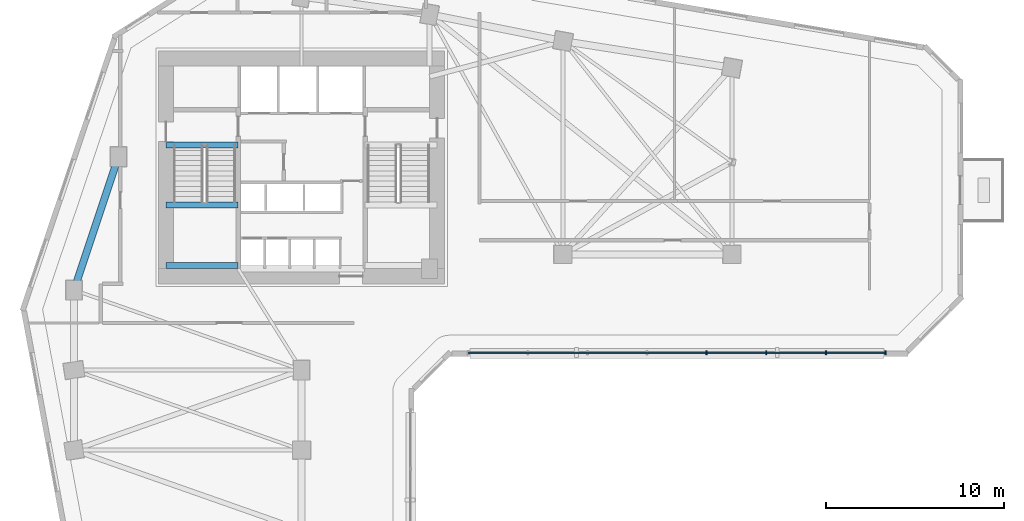
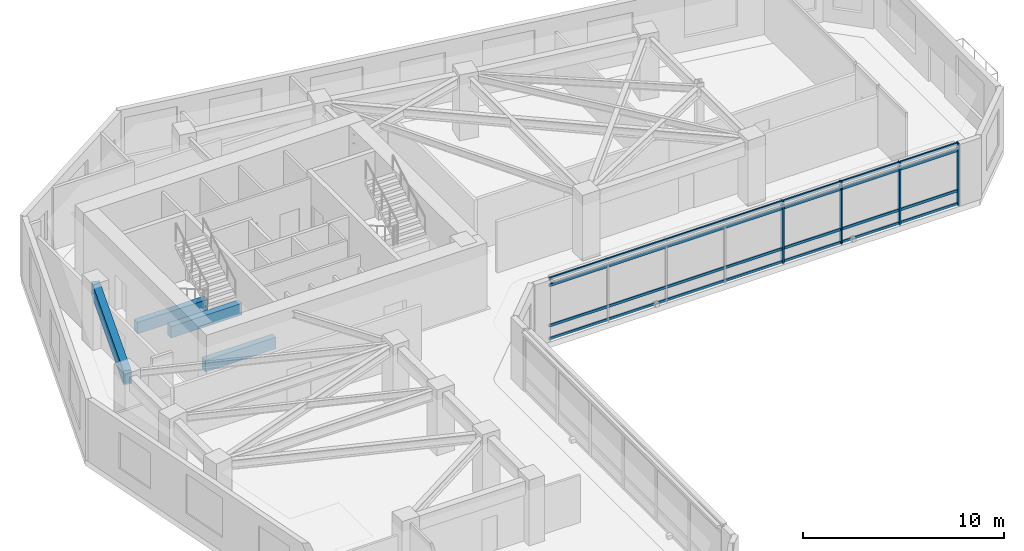
# One storey, part 3 of 11: 8 members, 4 beams, 1 element without a shape of its own.
"""IFC4 building model written with IfcOpenShell, lengths in metres."""

from ifc_helpers import new_model, si_unit, direction, frame, origin, origin_2d, place, context, subcontext, project, spatial, rectangle, extrude, source, transform, mapped, material, material_profile, profile_set, type_object, element, aggregate, save


model = new_model("IFC4")

# Units and contexts
model_context = context("Model", 3, precision=1e-05, world=origin(), true_north=direction((0.0, 1.0)))
body_context = subcontext(model_context, "Body", "Model", "MODEL_VIEW")
ifc_project = project(units=[si_unit("LENGTHUNIT", "METRE"), si_unit("AREAUNIT", "SQUARE_METRE"), si_unit("VOLUMEUNIT", "CUBIC_METRE"), si_unit("PLANEANGLEUNIT", "RADIAN"), si_unit("MASSUNIT", "GRAM", prefix="KILO")], contexts=[model_context])

# Site, building, storey
site_placement = place(None, origin())
site = spatial("IfcSite", under=ifc_project, at=site_placement, CompositionType="ELEMENT")
building_placement = place(site_placement, origin())
building = spatial("IfcBuilding", under=site, at=building_placement, Name="Calvemar Wedge Station Tower", CompositionType="ELEMENT")
storey_placement = place(building_placement, frame((0.0, 0.0, 27.0)))
storey = spatial("IfcBuildingStorey", under=building, at=storey_placement, Name="L06", CompositionType="ELEMENT", Elevation=27.0)

# Beams
ifc_material_1 = material(Name="Concrete C70", Category="concrete")
ifc_material_profile_1 = material_profile(ifc_material_1, rectangle(XDim=0.35009765625, YDim=0.699951171875, at=origin_2d()), Name="RC350x700")
ifc_profile_set_1 = profile_set([ifc_material_profile_1], Name="Concrete C70")
beam_type_1 = type_object("IfcBeamType", Name="BM-LN1-700", PredefinedType="LINTEL", material=ifc_profile_set_1)
shared_shape_1 = source(origin(), body_context, "Body", "SweptSolid", [
    extrude(rectangle(XDim=0.35009765625, YDim=0.699951171875, at=origin_2d()), origin(), (0.0, 0.0, 1.0), 4.054931640625),
])
for number, where, z_axis, x_axis, name in (
    (1, (16.175048828125, 41.14990234375, -0.35009765625), (1.0, 0.0, 0.0), (0.0, 1.0, 0.0), "Storey L06 Stair ST-C1 Landing Trimmer Beam"),
    (2, (16.175048828125, 34.3798828125, 1.449951171875), (1.0, 0.0, 0.0), (0.0, 1.0, 0.0), "Storey L06 Stair ST-C1 Half-Landing Beam 1A"),
    (3, (16.175048828125, 37.780029296875, 1.449951171875), (1.0, 0.0, 0.0), (0.0, 1.0, 0.0), "Storey L06 Stair ST-C1 Half-Landing Beam 1B"),
):
    element("IfcBeam", number, at=place(storey_placement, frame(where, z_axis=z_axis, x_axis=x_axis)), inside=storey, type_object=beam_type_1, Name=name, PredefinedType="LINTEL", context=body_context, shape_type="MappedRepresentation", body=[
        mapped(shared_shape_1, transform((0.0, 0.0, 0.0), scale=1.0)),
    ])
ifc_material_2 = material(Name="Concrete C60", Category="concrete")
ifc_material_profile_2 = material_profile(ifc_material_2, rectangle(XDim=0.39990234375, YDim=0.85009765625, at=origin_2d()), Name="RC400x850")
ifc_profile_set_2 = profile_set([ifc_material_profile_2], Name="Concrete C60")
beam_type_2 = type_object("IfcBeamType", Name="BM-SP1-850", PredefinedType="SPANDREL", material=ifc_profile_set_2)
shared_shape_2 = source(origin(), body_context, "Body", "SweptSolid", [
    extrude(rectangle(XDim=0.39990234375, YDim=0.85009765625, at=origin_2d()), origin(), (0.0, 0.0, 1.0), 7.90576171875),
])
beam_placement = place(storey_placement, frame((11.0, 33.0, 3.324951171875), z_axis=(0.316227766017, 0.948683298051, 0.0), x_axis=(-0.948683298051, 0.316227766017, 0.0)))
element("IfcBeam", 4, at=beam_placement, inside=storey, type_object=beam_type_2, Name="Storey L06 Spandrel T-NW1-T-NW2", PredefinedType="SPANDREL", context=body_context, shape_type="MappedRepresentation", body=[
    mapped(shared_shape_2, transform((0.0, 0.0, 0.0), scale=1.0)),
])

# Curtain wall, members
ifc_material_3 = material(Name="Anodised aluminium 6063-T6", Category="aluminium")
curtain_wall_type = type_object("IfcCurtainWallType", Name="CW1", PredefinedType="NOTDEFINED", material=ifc_material_3)
curtain_wall_placement = place(storey_placement, origin())
curtain_wall = element("IfcCurtainWall", 5, at=curtain_wall_placement, inside=storey, type_object=curtain_wall_type, Name="Storey L06 CW1 Recessed Unitised Curtain Wall 6", PredefinedType="NOTDEFINED")
ifc_material_profile_3 = material_profile(ifc_material_3, rectangle(XDim=0.080078125, YDim=0.219970703125, at=origin_2d()), Name="AL-MUL-80x220")
ifc_profile_set_3 = profile_set([ifc_material_profile_3], Name="Anodised aluminium 6063-T6")
member_type_1 = type_object("IfcMemberType", Name="CW1-MUL", PredefinedType="MULLION", material=ifc_profile_set_3)
shared_shape_3 = source(origin(), body_context, "Body", "SweptSolid", [
    extrude(rectangle(XDim=0.080078125, YDim=0.219970703125, at=origin_2d()), origin(), (0.0, 0.0, 1.0), 3.800048828125),
])
member_1_placement = place(storey_placement, frame((46.57861328125, 29.469970703125, -0.050048828125), z_axis=(0.0, 0.0, 1.0), x_axis=(1.0, 0.0, 0.0)))
member_1 = element("IfcMember", 6, at=member_1_placement, type_object=member_type_1, Name="CW1 mullion 5", PredefinedType="MULLION", context=body_context, shape_type="MappedRepresentation", body=[
    mapped(shared_shape_3, transform((0.0, 0.0, 0.0), scale=1.0)),
])
member_2_placement = place(storey_placement, frame((49.931640625, 29.469970703125, -0.050048828125), z_axis=(0.0, 0.0, 1.0), x_axis=(1.0, 0.0, 0.0)))
member_2 = element("IfcMember", 7, at=member_2_placement, type_object=member_type_1, Name="CW1 mullion 6", PredefinedType="MULLION", context=body_context, shape_type="MappedRepresentation", body=[
    mapped(shared_shape_3, transform((0.0, 0.0, 0.0), scale=1.0)),
])
member_3_placement = place(storey_placement, frame((53.284912109375, 29.469970703125, -0.050048828125), z_axis=(0.0, 0.0, 1.0), x_axis=(1.0, 0.0, 0.0)))
member_3 = element("IfcMember", 8, at=member_3_placement, type_object=member_type_1, Name="CW1 mullion 7", PredefinedType="MULLION", context=body_context, shape_type="MappedRepresentation", body=[
    mapped(shared_shape_3, transform((0.0, 0.0, 0.0), scale=1.0)),
])
member_4_placement = place(storey_placement, frame((56.637939453125, 29.469970703125, -0.050048828125), z_axis=(0.0, 0.0, 1.0), x_axis=(1.0, 0.0, 0.0)))
member_4 = element("IfcMember", 9, at=member_4_placement, type_object=member_type_1, Name="CW1 mullion 8", PredefinedType="MULLION", context=body_context, shape_type="MappedRepresentation", body=[
    mapped(shared_shape_3, transform((0.0, 0.0, 0.0), scale=1.0)),
])
ifc_material_profile_4 = material_profile(ifc_material_3, rectangle(XDim=0.080078125, YDim=0.159912109375, at=origin_2d()), Name="AL-TRN-80x160")
ifc_profile_set_4 = profile_set([ifc_material_profile_4], Name="Anodised aluminium 6063-T6")
member_type_2 = type_object("IfcMemberType", Name="CW1-TRN", PredefinedType="USERDEFINED", material=ifc_profile_set_4)
shared_shape_4 = source(origin(), body_context, "Body", "SweptSolid", [
    extrude(rectangle(XDim=0.080078125, YDim=0.159912109375, at=origin_2d()), origin(), (0.0, 0.0, 1.0), 23.471923828125),
])
member_5_placement = place(storey_placement, frame((33.166015625, 29.469970703125, 0.06005859375), z_axis=(1.0, 0.0, 0.0), x_axis=(0.0, 1.0, 0.0)))
member_5 = element("IfcMember", 10, at=member_5_placement, type_object=member_type_2, Name="CW1 transom 1", ObjectType="TRANSOM", PredefinedType="USERDEFINED", context=body_context, shape_type="MappedRepresentation", body=[
    mapped(shared_shape_4, transform((0.0, 0.0, 0.0), scale=1.0)),
])
member_6_placement = place(storey_placement, frame((33.166015625, 29.469970703125, 0.85009765625), z_axis=(1.0, 0.0, 0.0), x_axis=(0.0, 1.0, 0.0)))
member_6 = element("IfcMember", 11, at=member_6_placement, type_object=member_type_2, Name="CW1 transom 2", ObjectType="TRANSOM", PredefinedType="USERDEFINED", context=body_context, shape_type="MappedRepresentation", body=[
    mapped(shared_shape_4, transform((0.0, 0.0, 0.0), scale=1.0)),
])
member_7_placement = place(storey_placement, frame((33.166015625, 29.469970703125, 3.300048828125), z_axis=(1.0, 0.0, 0.0), x_axis=(0.0, 1.0, 0.0)))
member_7 = element("IfcMember", 12, at=member_7_placement, type_object=member_type_2, Name="CW1 transom 3", ObjectType="TRANSOM", PredefinedType="USERDEFINED", context=body_context, shape_type="MappedRepresentation", body=[
    mapped(shared_shape_4, transform((0.0, 0.0, 0.0), scale=1.0)),
])
member_8_placement = place(storey_placement, frame((33.166015625, 29.469970703125, 3.68994140625), z_axis=(1.0, 0.0, 0.0), x_axis=(0.0, 1.0, 0.0)))
member_8 = element("IfcMember", 13, at=member_8_placement, type_object=member_type_2, Name="CW1 transom 4", ObjectType="TRANSOM", PredefinedType="USERDEFINED", context=body_context, shape_type="MappedRepresentation", body=[
    mapped(shared_shape_4, transform((0.0, 0.0, 0.0), scale=1.0)),
])
aggregate(curtain_wall, [member_1, member_2, member_3, member_4, member_5, member_6, member_7, member_8])

save(model, "model.ifc")
